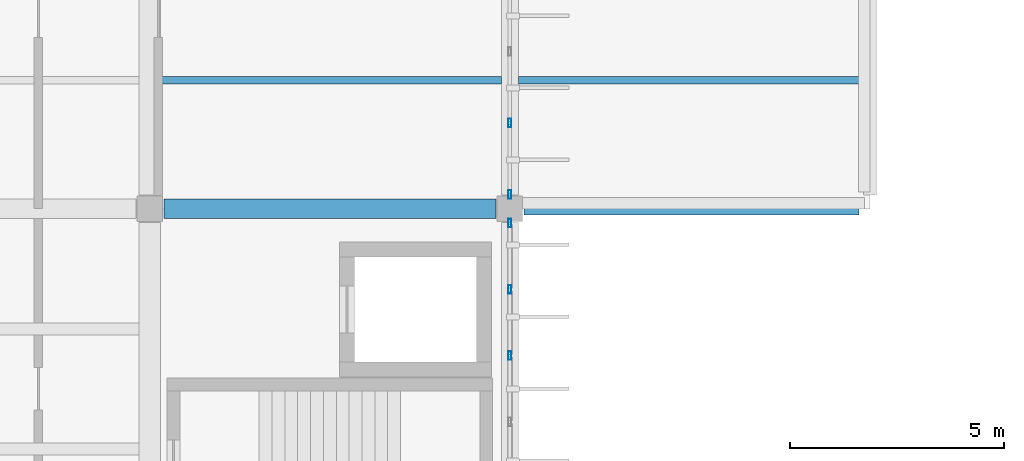
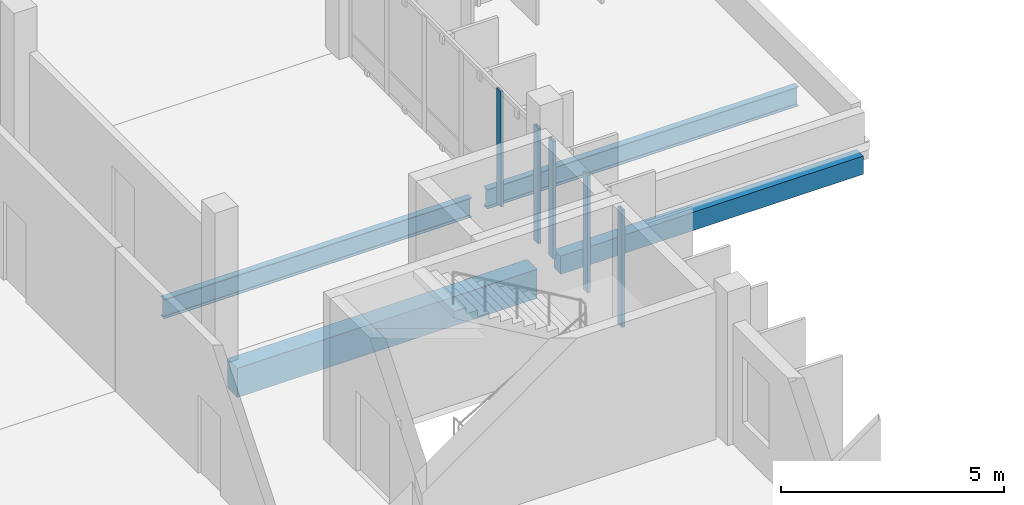
# One storey, part 74 of 130: 5 members, 4 beams, 2 elements without a shape of their own.
"""IFC4 building model written with IfcOpenShell, lengths in metres."""

from ifc_helpers import new_model, si_unit, direction, frame, origin, origin_2d, place, context, subcontext, project, spatial, rectangle, hollow_rectangle, i_section, extrude, material, layer, layer_set, material_profile, profile_set, type_object, element, aggregate, save


model = new_model("IFC4")

# Units and contexts
model_context = context("Model", 3, precision=1e-05, world=origin(), true_north=direction((0.0, 1.0)))
body_context = subcontext(model_context, "Body", "Model", "MODEL_VIEW")
ifc_project = project(units=[si_unit("LENGTHUNIT", "METRE"), si_unit("AREAUNIT", "SQUARE_METRE"), si_unit("VOLUMEUNIT", "CUBIC_METRE"), si_unit("PLANEANGLEUNIT", "RADIAN"), si_unit("MASSUNIT", "GRAM", prefix="KILO")], contexts=[model_context])

# Site, building, storey
site_placement = place(None, origin())
site = spatial("IfcSite", under=ifc_project, at=site_placement, CompositionType="ELEMENT")
building_placement = place(site_placement, origin())
building = spatial("IfcBuilding", under=site, at=building_placement, Name="Vireocrest Preparatory School", CompositionType="ELEMENT")
storey_placement = place(building_placement, frame((0.0, 0.0, 9.0)))
storey = spatial("IfcBuildingStorey", under=building, at=storey_placement, Name="L02", CompositionType="ELEMENT", Elevation=9.0)

# Curtain wall, members
ifc_material_1 = material(Name="Thermally broken aluminium EN AW-6063-T6", Category="aluminium")
ifc_layer_1 = layer(ifc_material_1, 0.179931640625)
ifc_layer_set_1 = layer_set([ifc_layer_1], Name="Thermally broken aluminium EN AW-6063-T6")
curtain_wall_type_1 = type_object("IfcCurtainWallType", Name="Teaching Fin Curtain Wall 8400x4200", PredefinedType="USERDEFINED", material=ifc_layer_set_1)
curtain_wall_1_placement = place(storey_placement, origin())
curtain_wall_1 = element("IfcCurtainWall", 1, at=curtain_wall_1_placement, inside=storey, type_object=curtain_wall_type_1, Name="Curtain Wall CW03 CW_L02_CW03_1092_0777_090", ObjectType="CURTAIN WALL", PredefinedType="USERDEFINED")
ifc_material_profile_1 = material_profile(ifc_material_1, hollow_rectangle(XDim=0.074951171875, YDim=0.199951171875, WallThickness=0.0048828125, at=origin_2d()), Name="ALU 75x200x5")
ifc_profile_set_1 = profile_set([ifc_material_profile_1], Name="Thermally broken aluminium EN AW-6063-T6")
member_type = type_object("IfcMemberType", Name="CW Mullion 75x200x5", PredefinedType="MULLION", material=ifc_profile_set_1)
member_1_placement = place(storey_placement, frame((109.199951171875, 82.373046875, 0.0), z_axis=(0.0, 0.0, 1.0), x_axis=(1.0, 0.0, 0.0)))
member_1 = element("IfcMember", 2, at=member_1_placement, type_object=member_type, Name="CW Mullion ML3 CW_L02_CW03_1092_0777_090-4", PredefinedType="MULLION", context=body_context, shape_type="SweptSolid", body=[
    extrude(hollow_rectangle(XDim=0.074951171875, YDim=0.199951171875, WallThickness=0.0048828125, at=origin_2d()), origin(), (0.0, 0.0, 1.0), 3.205078125),
])
member_2_placement = place(storey_placement, frame((109.199951171875, 83.9189453125, 0.0), z_axis=(0.0, 0.0, 1.0), x_axis=(1.0, 0.0, 0.0)))
member_2 = element("IfcMember", 3, at=member_2_placement, type_object=member_type, Name="CW Mullion ML3 CW_L02_CW03_1092_0777_090-5", PredefinedType="MULLION", context=body_context, shape_type="SweptSolid", body=[
    extrude(hollow_rectangle(XDim=0.074951171875, YDim=0.199951171875, WallThickness=0.0048828125, at=origin_2d()), origin(), (0.0, 0.0, 1.0), 3.205078125),
])
member_3_placement = place(storey_placement, frame((109.199951171875, 85.465087890625, 0.0), z_axis=(0.0, 0.0, 1.0), x_axis=(1.0, 0.0, 0.0)))
member_3 = element("IfcMember", 4, at=member_3_placement, type_object=member_type, Name="CW Mullion ML3 CW_L02_CW03_1092_0777_090-6", PredefinedType="MULLION", context=body_context, shape_type="SweptSolid", body=[
    extrude(hollow_rectangle(XDim=0.074951171875, YDim=0.199951171875, WallThickness=0.0048828125, at=origin_2d()), origin(), (0.0, 0.0, 1.0), 3.205078125),
])
aggregate(curtain_wall_1, [member_1, member_2, member_3])

ifc_layer_2 = layer(ifc_material_1, 0.179931640625)
ifc_layer_set_2 = layer_set([ifc_layer_2], Name="Thermally broken aluminium EN AW-6063-T6")
curtain_wall_type_2 = type_object("IfcCurtainWallType", Name="Side Facade Curtain Wall 9000x4200", PredefinedType="USERDEFINED", material=ifc_layer_set_2)
curtain_wall_2_placement = place(storey_placement, origin())
curtain_wall_2 = element("IfcCurtainWall", 5, at=curtain_wall_2_placement, inside=storey, type_object=curtain_wall_type_2, Name="Curtain Wall CW07 CW_L02_CW07_1092_0861_090", ObjectType="CURTAIN WALL", PredefinedType="USERDEFINED")
member_4_placement = place(storey_placement, frame((109.199951171875, 86.135009765625, 0.0), z_axis=(0.0, 0.0, 1.0), x_axis=(1.0, 0.0, 0.0)))
member_4 = element("IfcMember", 6, at=member_4_placement, type_object=member_type, Name="CW Mullion ML3 CW_L02_CW07_1092_0861_090-1", PredefinedType="MULLION", context=body_context, shape_type="SweptSolid", body=[
    extrude(hollow_rectangle(XDim=0.074951171875, YDim=0.199951171875, WallThickness=0.0048828125, at=origin_2d()), origin(), (0.0, 0.0, 1.0), 3.155029296875),
])
member_5_placement = place(storey_placement, frame((109.199951171875, 87.801025390625, 0.0), z_axis=(0.0, 0.0, 1.0), x_axis=(1.0, 0.0, 0.0)))
member_5 = element("IfcMember", 7, at=member_5_placement, type_object=member_type, Name="CW Mullion ML3 CW_L02_CW07_1092_0861_090-2", PredefinedType="MULLION", context=body_context, shape_type="SweptSolid", body=[
    extrude(hollow_rectangle(XDim=0.074951171875, YDim=0.199951171875, WallThickness=0.0048828125, at=origin_2d()), origin(), (0.0, 0.0, 1.0), 3.155029296875),
])
aggregate(curtain_wall_2, [member_4, member_5])

# Beams
ifc_material_2 = material(Name="Structural steel ASTM A992 Grade 50", Category="steel")
ifc_material_profile_2 = material_profile(ifc_material_2, i_section(OverallWidth=0.166015625, OverallDepth=0.529052734375, WebThickness=0.009765625, FlangeThickness=0.013671875, FilletRadius=0.014892578125, at=origin_2d()), Name="W21X50")
ifc_profile_set_2 = profile_set([ifc_material_profile_2], Name="Structural steel ASTM A992 Grade 50")
beam_type_1 = type_object("IfcBeamType", Name="Pavilion Roof Joist W21X50", PredefinedType="JOIST", material=ifc_profile_set_2)
beam_1_placement = place(storey_placement, frame((101.050048828125, 88.800048828125, -0.564453125), z_axis=(1.0, 0.0, 0.0), x_axis=(0.0, 1.0, 0.0)))
element("IfcBeam", 8, at=beam_1_placement, inside=storey, type_object=beam_type_1, Name="Secondary Joist SJ1 L02-0998", PredefinedType="JOIST", context=body_context, shape_type="SweptSolid", body=[
    extrude(i_section(OverallWidth=0.166015625, OverallDepth=0.529052734375, WebThickness=0.009765625, FlangeThickness=0.013671875, FilletRadius=0.014892578125, at=origin_2d()), origin(), (0.0, 0.0, 1.0), 7.949951171875),
])
beam_2_placement = place(storey_placement, frame((109.39990234375, 88.800048828125, -0.484619140625), z_axis=(1.0, 0.0, 0.0), x_axis=(0.0, 1.0, 0.0)))
element("IfcBeam", 9, at=beam_2_placement, inside=storey, type_object=beam_type_1, Name="Secondary Joist SJ1 L02-1010", PredefinedType="JOIST", context=body_context, shape_type="SweptSolid", body=[
    extrude(i_section(OverallWidth=0.166015625, OverallDepth=0.529052734375, WebThickness=0.009765625, FlangeThickness=0.013671875, FilletRadius=0.014892578125, at=origin_2d()), origin(), (0.0, 0.0, 1.0), 8.050048828125),
])
ifc_material_3 = material(Name="Concrete 40 MPa", Category="concrete")
ifc_material_profile_3 = material_profile(ifc_material_3, rectangle(XDim=0.449951171875, YDim=0.800048828125, at=origin_2d()), Name="RC 450x800")
ifc_profile_set_3 = profile_set([ifc_material_profile_3], Name="Concrete 40 MPa")
beam_type_2 = type_object("IfcBeamType", Name="RC Library Stack Girder 450x800", PredefinedType="BEAM", material=ifc_profile_set_3)
beam_3_placement = place(storey_placement, frame((101.125, 85.800048828125, -0.699951171875), z_axis=(1.0, 0.0, 0.0), x_axis=(0.0, 1.0, 0.0)))
element("IfcBeam", 10, at=beam_3_placement, inside=storey, type_object=beam_type_2, Name="Primary Girder B12 L02-0754", PredefinedType="BEAM", context=body_context, shape_type="SweptSolid", body=[
    extrude(rectangle(XDim=0.449951171875, YDim=0.800048828125, at=origin_2d()), origin(), (0.0, 0.0, 1.0), 7.75),
])
ifc_material_profile_4 = material_profile(ifc_material_3, rectangle(XDim=0.300048828125, YDim=0.5, at=origin_2d()), Name="RC 300x500")
ifc_profile_set_4 = profile_set([ifc_material_profile_4], Name="Concrete 40 MPa")
beam_type_3 = type_object("IfcBeamType", Name="RC Roof Edge Beam 300x500", PredefinedType="BEAM", material=ifc_profile_set_4)
beam_4_placement = place(storey_placement, frame((109.52490234375, 85.800048828125, -0.469970703125), z_axis=(1.0, 0.0, 0.0), x_axis=(0.0, 1.0, 0.0)))
element("IfcBeam", 11, at=beam_4_placement, inside=storey, type_object=beam_type_3, Name="Primary Girder B01 L02-0755", PredefinedType="BEAM", context=body_context, shape_type="SweptSolid", body=[
    extrude(rectangle(XDim=0.300048828125, YDim=0.5, at=origin_2d()), origin(), (0.0, 0.0, 1.0), 7.8251953125),
])

save(model, "model.ifc")
